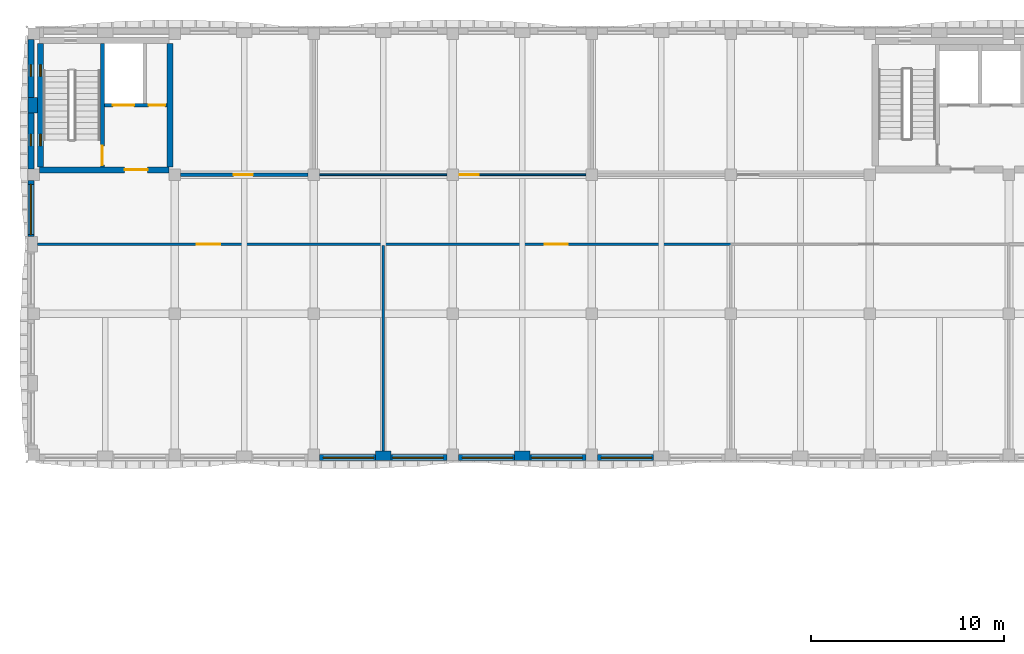
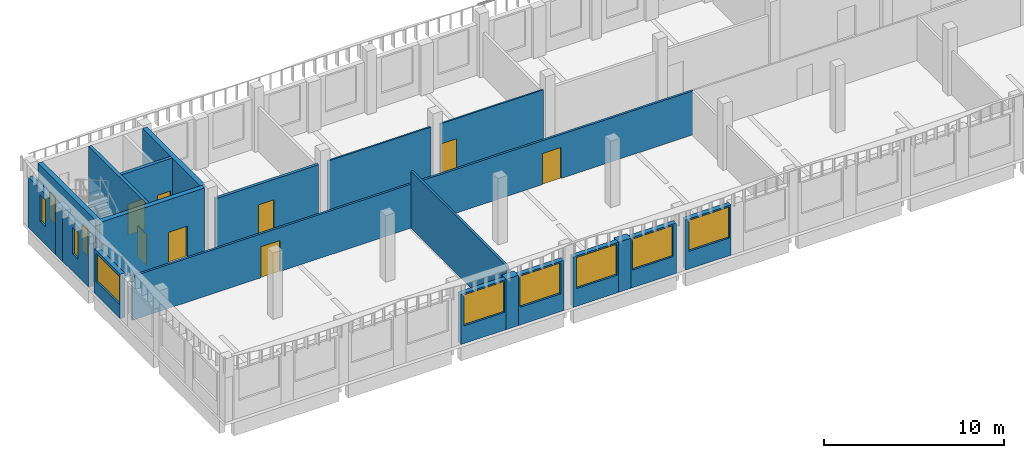
# One storey, part 13 of 38: 22 walls, 10 windows, 8 doors, 18 openings.
"""IFC4 building model written with IfcOpenShell, lengths in metres."""

from ifc_helpers import new_model, si_unit, direction, frame, frame_2d, origin, place, context, subcontext, project, spatial, rectangle, extrude, material, layer, layer_set, type_object, element, fill, save


model = new_model("IFC4")

# Units and contexts
model_context = context("Model", 3, precision=1e-05, world=origin(), true_north=direction((0.0, 1.0)))
body_context = subcontext(model_context, "Body", "Model", "MODEL_VIEW")
ifc_project = project(units=[si_unit("LENGTHUNIT", "METRE"), si_unit("AREAUNIT", "SQUARE_METRE"), si_unit("VOLUMEUNIT", "CUBIC_METRE"), si_unit("PLANEANGLEUNIT", "RADIAN"), si_unit("MASSUNIT", "GRAM", prefix="KILO")], contexts=[model_context])

# Site, building, storey
site_placement = place(None, origin())
site = spatial("IfcSite", under=ifc_project, at=site_placement, CompositionType="ELEMENT")
building_placement = place(site_placement, origin())
building = spatial("IfcBuilding", under=site, at=building_placement, Name="Ussher Court Research Institute", CompositionType="ELEMENT")
storey_placement = place(building_placement, frame((0.0, 0.0, 23.39990234375)))
storey = spatial("IfcBuildingStorey", under=building, at=storey_placement, Name="L05", CompositionType="ELEMENT", Elevation=23.39990234375)

# Wall, opening, door
ifc_material_1 = material(Name="Plasterboard on steel studs with mineral wool", Category="steel")
ifc_layer_1 = layer(ifc_material_1, 0.179931640625)
ifc_layer_set_1 = layer_set([ifc_layer_1], Name="Plasterboard on steel studs with mineral wool")
wall_type_1 = type_object("IfcWallType", Name="Acoustic twin-stud partition 180", PredefinedType="PARTITIONING", material=ifc_layer_set_1)
wall_1_placement = place(storey_placement, frame((10.5, 83.199951171875, 0.0), z_axis=(0.0, 0.0, 1.0), x_axis=(1.0, 0.0, 0.0)))
wall_1 = element("IfcWall", 1, at=wall_1_placement, inside=storey, type_object=wall_type_1, Name="Partition", PredefinedType="PARTITIONING", context=body_context, shape_type="SweptSolid", body=[
    extrude(rectangle(XDim=6.60009765625, YDim=0.179931640625, at=frame_2d((3.300048828125, 0.0))), origin(), (0.0, 0.0, 1.0), 3.47021484375),
])
opening_1_placement = place(wall_1_placement, frame((2.75, 0.0, 0.0)))
opening_1 = element("IfcOpeningElement", 2, at=opening_1_placement, cuts=wall_1, Name="Opening D05005", PredefinedType="OPENING", context=body_context, shape_type="SweptSolid", body=[
    extrude(rectangle(XDim=1.0, YDim=2.10009765625, at=frame_2d((0.5, 1.050048828125))), frame((0.0, 0.10009765625, 0.0), z_axis=(0.0, -1.0, 0.0), x_axis=(1.0, 0.0, 0.0)), (0.0, 0.0, 1.0), 0.199951171875),
])
ifc_material_2 = material(Name="Veneered timber door", Category="wood")
door_type_1 = type_object("IfcDoorType", Name="Meeting room door 1000x2100", OperationType="NOTDEFINED", PredefinedType="DOOR", material=ifc_material_2)
door_1_placement = place(opening_1_placement, origin())
door_1 = element("IfcDoor", 3, at=door_1_placement, inside=storey, type_object=door_type_1, Name="Door D05005", OperationType="SINGLE_SWING_LEFT", OverallHeight=2.10009765625, OverallWidth=1.0, PredefinedType="DOOR", context=body_context, shape_type="SweptSolid", body=[
    extrude(rectangle(XDim=1.0, YDim=2.10009765625, at=frame_2d((0.5, 1.050048828125))), frame((0.0, 0.02490234375, 0.0), z_axis=(0.0, -1.0, 0.0), x_axis=(1.0, 0.0, 0.0)), (0.0, 0.0, 1.0), 0.050048828125),
])
fill(opening_1, door_1)

# Wall, opening, window
ifc_material_3 = material(Name="Blockwork with cream render", Category="masonry")
ifc_layer_2 = layer(ifc_material_3, 0.300048828125)
ifc_layer_set_2 = layer_set([ifc_layer_2], Name="Blockwork with cream render")
wall_type_2 = type_object("IfcWallType", Name="External wall 300 cream render", PredefinedType="SOLIDWALL", material=ifc_layer_set_2)
wall_2_placement = place(storey_placement, frame((35.0, 68.550048828125, 0.0), z_axis=(0.0, 0.0, 1.0), x_axis=(-1.0, 0.0, 0.0)))
wall_2 = element("IfcWall", 4, at=wall_2_placement, inside=storey, type_object=wall_type_2, Name="External wall EW1 L05", PredefinedType="SOLIDWALL", context=body_context, shape_type="SweptSolid", body=[
    extrude(rectangle(XDim=2.89990234375, YDim=0.300048828125, at=frame_2d((1.449951171875, 0.0))), origin(), (0.0, 0.0, 1.0), 3.400146484375),
])
opening_2_placement = place(wall_2_placement, frame((0.10009765625, 0.0, 1.199951171875)))
opening_2 = element("IfcOpeningElement", 5, at=opening_2_placement, cuts=wall_2, Name="Opening W08", PredefinedType="OPENING", context=body_context, shape_type="SweptSolid", body=[
    extrude(rectangle(XDim=2.60009765625, YDim=2.10009765625, at=frame_2d((1.300048828125, 1.050048828125))), frame((0.0, 0.16015625, 0.0), z_axis=(0.0, -1.0, 0.0), x_axis=(1.0, 0.0, 0.0)), (0.0, 0.0, 1.0), 0.320068359375),
])
ifc_material_4 = material(Name="Bronze anodised aluminium with double glazing", Category="aluminium")
window_type_1 = type_object("IfcWindowType", Name="Dry laboratory bay window 2600x2100", PartitioningType="DOUBLE_PANEL_VERTICAL", PredefinedType="WINDOW", material=ifc_material_4)
window_1_placement = place(opening_2_placement, origin())
window_1 = element("IfcWindow", 6, at=window_1_placement, inside=storey, type_object=window_type_1, Name="Window W08 L05", OverallHeight=2.10009765625, OverallWidth=2.60009765625, PartitioningType="SINGLE_PANEL", PredefinedType="WINDOW", context=body_context, shape_type="SweptSolid", body=[
    extrude(rectangle(XDim=2.60009765625, YDim=2.10009765625, at=frame_2d((1.300048828125, 1.050048828125))), frame((0.0, 0.030029296875, 0.0), z_axis=(0.0, -1.0, 0.0), x_axis=(1.0, 0.0, 0.0)), (0.0, 0.0, 1.0), 0.06005859375),
])
fill(opening_2, window_1)

wall_3_placement = place(storey_placement, frame((31.5, 68.550048828125, 0.0), z_axis=(0.0, 0.0, 1.0), x_axis=(-1.0, 0.0, 0.0)))
wall_3 = element("IfcWall", 7, at=wall_3_placement, inside=storey, type_object=wall_type_2, Name="External wall EW1 L05", PredefinedType="SOLIDWALL", context=body_context, shape_type="SweptSolid", body=[
    extrude(rectangle(XDim=2.89990234375, YDim=0.300048828125, at=frame_2d((1.449951171875, 0.0))), origin(), (0.0, 0.0, 1.0), 3.400146484375),
])
opening_3_placement = place(wall_3_placement, frame((0.199951171875, 0.0, 1.199951171875)))
opening_3 = element("IfcOpeningElement", 8, at=opening_3_placement, cuts=wall_3, Name="Opening W08", PredefinedType="OPENING", context=body_context, shape_type="SweptSolid", body=[
    extrude(rectangle(XDim=2.60009765625, YDim=2.10009765625, at=frame_2d((1.300048828125, 1.050048828125))), frame((0.0, 0.16015625, 0.0), z_axis=(0.0, -1.0, 0.0), x_axis=(1.0, 0.0, 0.0)), (0.0, 0.0, 1.0), 0.320068359375),
])
window_2_placement = place(opening_3_placement, origin())
window_2 = element("IfcWindow", 9, at=window_2_placement, inside=storey, type_object=window_type_1, Name="Window W08 L05", OverallHeight=2.10009765625, OverallWidth=2.60009765625, PartitioningType="SINGLE_PANEL", PredefinedType="WINDOW", context=body_context, shape_type="SweptSolid", body=[
    extrude(rectangle(XDim=2.60009765625, YDim=2.10009765625, at=frame_2d((1.300048828125, 1.050048828125))), frame((0.0, 0.030029296875, 0.0), z_axis=(0.0, -1.0, 0.0), x_axis=(1.0, 0.0, 0.0)), (0.0, 0.0, 1.0), 0.06005859375),
])
fill(opening_3, window_2)

wall_4_placement = place(storey_placement, frame((27.800048828125, 68.550048828125, 0.0), z_axis=(0.0, 0.0, 1.0), x_axis=(-1.0, 0.0, 0.0)))
wall_4 = element("IfcWall", 10, at=wall_4_placement, inside=storey, type_object=wall_type_2, Name="External wall EW1 L05", PredefinedType="SOLIDWALL", context=body_context, shape_type="SweptSolid", body=[
    extrude(rectangle(XDim=2.900146484375, YDim=0.300048828125, at=frame_2d((1.4501953125, 0.0))), origin(), (0.0, 0.0, 1.0), 3.400146484375),
])
opening_4_placement = place(wall_4_placement, frame((0.10009765625, 0.0, 1.199951171875)))
opening_4 = element("IfcOpeningElement", 11, at=opening_4_placement, cuts=wall_4, Name="Opening W08", PredefinedType="OPENING", context=body_context, shape_type="SweptSolid", body=[
    extrude(rectangle(XDim=2.60009765625, YDim=2.10009765625, at=frame_2d((1.300048828125, 1.050048828125))), frame((0.0, 0.16015625, 0.0), z_axis=(0.0, -1.0, 0.0), x_axis=(1.0, 0.0, 0.0)), (0.0, 0.0, 1.0), 0.320068359375),
])
window_3_placement = place(opening_4_placement, origin())
window_3 = element("IfcWindow", 12, at=window_3_placement, inside=storey, type_object=window_type_1, Name="Window W08 L05", OverallHeight=2.10009765625, OverallWidth=2.60009765625, PartitioningType="SINGLE_PANEL", PredefinedType="WINDOW", context=body_context, shape_type="SweptSolid", body=[
    extrude(rectangle(XDim=2.60009765625, YDim=2.10009765625, at=frame_2d((1.300048828125, 1.050048828125))), frame((0.0, 0.030029296875, 0.0), z_axis=(0.0, -1.0, 0.0), x_axis=(1.0, 0.0, 0.0)), (0.0, 0.0, 1.0), 0.06005859375),
])
fill(opening_4, window_3)

wall_5_placement = place(storey_placement, frame((24.300048828125, 68.550048828125, 0.0), z_axis=(0.0, 0.0, 1.0), x_axis=(-1.0, 0.0, 0.0)))
wall_5 = element("IfcWall", 13, at=wall_5_placement, inside=storey, type_object=wall_type_2, Name="External wall EW1 L05", PredefinedType="SOLIDWALL", context=body_context, shape_type="SweptSolid", body=[
    extrude(rectangle(XDim=2.900146484375, YDim=0.300048828125, at=frame_2d((1.4501953125, 0.0))), origin(), (0.0, 0.0, 1.0), 3.400146484375),
])
opening_5_placement = place(wall_5_placement, frame((0.199951171875, 0.0, 1.199951171875)))
opening_5 = element("IfcOpeningElement", 14, at=opening_5_placement, cuts=wall_5, Name="Opening W08", PredefinedType="OPENING", context=body_context, shape_type="SweptSolid", body=[
    extrude(rectangle(XDim=2.60009765625, YDim=2.10009765625, at=frame_2d((1.300048828125, 1.050048828125))), frame((0.0, 0.16015625, 0.0), z_axis=(0.0, -1.0, 0.0), x_axis=(1.0, 0.0, 0.0)), (0.0, 0.0, 1.0), 0.320068359375),
])
window_4_placement = place(opening_5_placement, origin())
window_4 = element("IfcWindow", 15, at=window_4_placement, inside=storey, type_object=window_type_1, Name="Window W08 L05", OverallHeight=2.10009765625, OverallWidth=2.60009765625, PartitioningType="SINGLE_PANEL", PredefinedType="WINDOW", context=body_context, shape_type="SweptSolid", body=[
    extrude(rectangle(XDim=2.60009765625, YDim=2.10009765625, at=frame_2d((1.300048828125, 1.050048828125))), frame((0.0, 0.030029296875, 0.0), z_axis=(0.0, -1.0, 0.0), x_axis=(1.0, 0.0, 0.0)), (0.0, 0.0, 1.0), 0.06005859375),
])
fill(opening_5, window_4)

wall_6_placement = place(storey_placement, frame((20.60009765625, 68.550048828125, 0.0), z_axis=(0.0, 0.0, 1.0), x_axis=(-1.0, 0.0, 0.0)))
wall_6 = element("IfcWall", 16, at=wall_6_placement, inside=storey, type_object=wall_type_2, Name="External wall EW1 L05", PredefinedType="SOLIDWALL", context=body_context, shape_type="SweptSolid", body=[
    extrude(rectangle(XDim=2.900146484375, YDim=0.300048828125, at=frame_2d((1.4501953125, 0.0))), origin(), (0.0, 0.0, 1.0), 3.400146484375),
])
opening_6_placement = place(wall_6_placement, frame((0.10009765625, 0.0, 1.199951171875)))
opening_6 = element("IfcOpeningElement", 17, at=opening_6_placement, cuts=wall_6, Name="Opening W08", PredefinedType="OPENING", context=body_context, shape_type="SweptSolid", body=[
    extrude(rectangle(XDim=2.60009765625, YDim=2.10009765625, at=frame_2d((1.300048828125, 1.050048828125))), frame((0.0, 0.16015625, 0.0), z_axis=(0.0, -1.0, 0.0), x_axis=(1.0, 0.0, 0.0)), (0.0, 0.0, 1.0), 0.320068359375),
])
window_5_placement = place(opening_6_placement, origin())
window_5 = element("IfcWindow", 18, at=window_5_placement, inside=storey, type_object=window_type_1, Name="Window W08 L05", OverallHeight=2.10009765625, OverallWidth=2.60009765625, PartitioningType="SINGLE_PANEL", PredefinedType="WINDOW", context=body_context, shape_type="SweptSolid", body=[
    extrude(rectangle(XDim=2.60009765625, YDim=2.10009765625, at=frame_2d((1.300048828125, 1.050048828125))), frame((0.0, 0.030029296875, 0.0), z_axis=(0.0, -1.0, 0.0), x_axis=(1.0, 0.0, 0.0)), (0.0, 0.0, 1.0), 0.06005859375),
])
fill(opening_6, window_5)

wall_7_placement = place(storey_placement, frame((2.75, 80.0, 0.0), z_axis=(0.0, 0.0, 1.0), x_axis=(0.0, 1.0, 0.0)))
wall_7 = element("IfcWall", 19, at=wall_7_placement, inside=storey, type_object=wall_type_2, Name="External wall EW1 L05", PredefinedType="SOLIDWALL", context=body_context, shape_type="SweptSolid", body=[
    extrude(rectangle(XDim=2.89990234375, YDim=0.300048828125, at=frame_2d((1.449951171875, 0.0))), origin(), (0.0, 0.0, 1.0), 3.0),
])
opening_7_placement = place(wall_7_placement, frame((0.10009765625, 0.0, 0.89990234375)))
opening_7 = element("IfcOpeningElement", 20, at=opening_7_placement, cuts=wall_7, Name="Opening W30", PredefinedType="OPENING", context=body_context, shape_type="SweptSolid", body=[
    extrude(rectangle(XDim=2.60009765625, YDim=1.89990234375, at=frame_2d((1.300048828125, 0.949951171875))), frame((0.0, 0.16015625, 0.0), z_axis=(0.0, -1.0, 0.0), x_axis=(1.0, 0.0, 0.0)), (0.0, 0.0, 1.0), 0.320068359375),
])
ifc_material_5 = material(Name="Bronze anodised aluminium with double glazing", Category="aluminium")
window_type_2 = type_object("IfcWindowType", Name="Laboratory bay window 2600x1900", PartitioningType="DOUBLE_PANEL_VERTICAL", PredefinedType="WINDOW", material=ifc_material_5)
window_6_placement = place(opening_7_placement, origin())
window_6 = element("IfcWindow", 21, at=window_6_placement, inside=storey, type_object=window_type_2, Name="Window W30 L05", OverallHeight=1.89990234375, OverallWidth=2.60009765625, PartitioningType="SINGLE_PANEL", PredefinedType="WINDOW", context=body_context, shape_type="SweptSolid", body=[
    extrude(rectangle(XDim=2.60009765625, YDim=1.89990234375, at=frame_2d((1.300048828125, 0.949951171875))), frame((0.0, 0.030029296875, 0.0), z_axis=(0.0, -1.0, 0.0), x_axis=(1.0, 0.0, 0.0)), (0.0, 0.0, 1.0), 0.06005859375),
])
fill(opening_7, window_6)

ifc_material_6 = material(Name="Limestone facing on blockwork", Category="masonry")
ifc_layer_3 = layer(ifc_material_6, 0.300048828125)
ifc_layer_set_3 = layer_set([ifc_layer_3], Name="Limestone facing on blockwork")
wall_type_3 = type_object("IfcWallType", Name="External wall 300 stair enclosure", PredefinedType="SOLIDWALL", material=ifc_layer_set_3)
wall_8_placement = place(storey_placement, frame((2.75, 83.5, 0.0), z_axis=(0.0, 0.0, 1.0), x_axis=(0.0, 1.0, 0.0)))
wall_8 = element("IfcWall", 22, at=wall_8_placement, inside=storey, type_object=wall_type_3, Name="External wall EW5 L05", PredefinedType="SOLIDWALL", context=body_context, shape_type="SweptSolid", body=[
    extrude(rectangle(XDim=2.89990234375, YDim=0.300048828125, at=frame_2d((1.449951171875, 0.0))), origin(), (0.0, 0.0, 1.0), 3.400146484375),
])
opening_8_placement = place(wall_8_placement, frame((1.199951171875, 0.0, 1.199951171875)))
opening_8 = element("IfcOpeningElement", 23, at=opening_8_placement, cuts=wall_8, Name="Opening W25", PredefinedType="OPENING", context=body_context, shape_type="SweptSolid", body=[
    extrude(rectangle(XDim=0.60009765625, YDim=1.800048828125, at=frame_2d((0.300048828125, 0.89990234375))), frame((0.0, 0.16015625, 0.0), z_axis=(0.0, -1.0, 0.0), x_axis=(1.0, 0.0, 0.0)), (0.0, 0.0, 1.0), 0.320068359375),
])
ifc_material_7 = material(Name="Bronze anodised aluminium with double glazing", Category="aluminium")
window_type_3 = type_object("IfcWindowType", Name="Stair light slot window 600x1800 fire-resisting glazing", PartitioningType="SINGLE_PANEL", PredefinedType="WINDOW", material=ifc_material_7)
window_7_placement = place(opening_8_placement, origin())
window_7 = element("IfcWindow", 24, at=window_7_placement, inside=storey, type_object=window_type_3, Name="Window W25 L05", OverallHeight=1.800048828125, OverallWidth=0.60009765625, PartitioningType="SINGLE_PANEL", PredefinedType="WINDOW", context=body_context, shape_type="SweptSolid", body=[
    extrude(rectangle(XDim=0.60009765625, YDim=1.800048828125, at=frame_2d((0.300048828125, 0.89990234375))), frame((0.0, 0.030029296875, 0.0), z_axis=(0.0, -1.0, 0.0), x_axis=(1.0, 0.0, 0.0)), (0.0, 0.0, 1.0), 0.06005859375),
])
fill(opening_8, window_7)

wall_9_placement = place(storey_placement, frame((2.75, 87.199951171875, 0.0), z_axis=(0.0, 0.0, 1.0), x_axis=(0.0, 1.0, 0.0)))
wall_9 = element("IfcWall", 25, at=wall_9_placement, inside=storey, type_object=wall_type_3, Name="External wall EW5 L05", PredefinedType="SOLIDWALL", context=body_context, shape_type="SweptSolid", body=[
    extrude(rectangle(XDim=3.0, YDim=0.300048828125, at=frame_2d((1.5, 0.0))), origin(), (0.0, 0.0, 1.0), 3.400146484375),
])
opening_9_placement = place(wall_9_placement, frame((1.10009765625, 0.0, 1.199951171875)))
opening_9 = element("IfcOpeningElement", 26, at=opening_9_placement, cuts=wall_9, Name="Opening W25", PredefinedType="OPENING", context=body_context, shape_type="SweptSolid", body=[
    extrude(rectangle(XDim=0.60009765625, YDim=1.800048828125, at=frame_2d((0.300048828125, 0.89990234375))), frame((0.0, 0.16015625, 0.0), z_axis=(0.0, -1.0, 0.0), x_axis=(1.0, 0.0, 0.0)), (0.0, 0.0, 1.0), 0.320068359375),
])
window_8_placement = place(opening_9_placement, origin())
window_8 = element("IfcWindow", 27, at=window_8_placement, inside=storey, type_object=window_type_3, Name="Window W25 L05", OverallHeight=1.800048828125, OverallWidth=0.60009765625, PartitioningType="SINGLE_PANEL", PredefinedType="WINDOW", context=body_context, shape_type="SweptSolid", body=[
    extrude(rectangle(XDim=0.60009765625, YDim=1.800048828125, at=frame_2d((0.300048828125, 0.89990234375))), frame((0.0, 0.030029296875, 0.0), z_axis=(0.0, -1.0, 0.0), x_axis=(1.0, 0.0, 0.0)), (0.0, 0.0, 1.0), 0.06005859375),
])
fill(opening_9, window_8)

# Wall, opening, door
ifc_material_8 = material(Name="Plastered blockwork", Category="masonry")
ifc_layer_4 = layer(ifc_material_8, 0.139892578125)
ifc_layer_set_4 = layer_set([ifc_layer_4], Name="Plastered blockwork")
wall_type_4 = type_object("IfcWallType", Name="Laboratory blockwork partition 140", PredefinedType="PARTITIONING", material=ifc_layer_set_4)
wall_10_placement = place(storey_placement, frame((21.0, 79.60009765625, 0.0), z_axis=(0.0, 0.0, 1.0), x_axis=(-1.0, 0.0, 0.0)))
wall_10 = element("IfcWall", 28, at=wall_10_placement, inside=storey, type_object=wall_type_4, Name="Partition", PredefinedType="PARTITIONING", context=body_context, shape_type="SweptSolid", body=[
    extrude(rectangle(XDim=17.89990234375, YDim=0.139892578125, at=frame_2d((8.949951171875, 0.0))), origin(), (0.0, 0.0, 1.0), 2.97021484375),
])
opening_10_placement = place(wall_10_placement, frame((8.449951171875, 0.0, 0.0)))
opening_10 = element("IfcOpeningElement", 29, at=opening_10_placement, cuts=wall_10, Name="Opening D05004", PredefinedType="OPENING", context=body_context, shape_type="SweptSolid", body=[
    extrude(rectangle(XDim=1.199951171875, YDim=2.10009765625, at=frame_2d((0.60009765625, 1.050048828125))), frame((0.0, 0.080078125, 0.0), z_axis=(0.0, -1.0, 0.0), x_axis=(1.0, 0.0, 0.0)), (0.0, 0.0, 1.0), 0.159912109375),
])
ifc_material_9 = material(Name="Veneered timber door", Category="wood")
door_type_2 = type_object("IfcDoorType", Name="Laboratory door 1200x2100", OperationType="NOTDEFINED", PredefinedType="DOOR", material=ifc_material_9)
door_2_placement = place(opening_10_placement, origin())
door_2 = element("IfcDoor", 30, at=door_2_placement, inside=storey, type_object=door_type_2, Name="Door D05004", OperationType="SINGLE_SWING_RIGHT", OverallHeight=2.10009765625, OverallWidth=1.199951171875, PredefinedType="DOOR", context=body_context, shape_type="SweptSolid", body=[
    extrude(rectangle(XDim=1.199951171875, YDim=2.10009765625, at=frame_2d((0.60009765625, 1.050048828125))), frame((0.0, 0.02490234375, 0.0), z_axis=(0.0, -1.0, 0.0), x_axis=(1.0, 0.0, 0.0)), (0.0, 0.0, 1.0), 0.050048828125),
])
fill(opening_10, door_2)

wall_11_placement = place(storey_placement, frame((39.0, 79.60009765625, 0.0), z_axis=(0.0, 0.0, 1.0), x_axis=(-1.0, 0.0, 0.0)))
wall_11 = element("IfcWall", 31, at=wall_11_placement, inside=storey, type_object=wall_type_4, Name="Partition", PredefinedType="PARTITIONING", context=body_context, shape_type="SweptSolid", body=[
    extrude(rectangle(XDim=18.0, YDim=0.139892578125, at=frame_2d((9.0, 0.0))), origin(), (0.0, 0.0, 1.0), 2.97021484375),
])
opening_11_placement = place(wall_11_placement, frame((8.449951171875, 0.0, 0.0)))
opening_11 = element("IfcOpeningElement", 32, at=opening_11_placement, cuts=wall_11, Name="Opening D05007", PredefinedType="OPENING", context=body_context, shape_type="SweptSolid", body=[
    extrude(rectangle(XDim=1.199951171875, YDim=2.10009765625, at=frame_2d((0.60009765625, 1.050048828125))), frame((0.0, 0.080078125, 0.0), z_axis=(0.0, -1.0, 0.0), x_axis=(1.0, 0.0, 0.0)), (0.0, 0.0, 1.0), 0.159912109375),
])
door_3_placement = place(opening_11_placement, origin())
door_3 = element("IfcDoor", 33, at=door_3_placement, inside=storey, type_object=door_type_2, Name="Door D05007", OperationType="SINGLE_SWING_RIGHT", OverallHeight=2.10009765625, OverallWidth=1.199951171875, PredefinedType="DOOR", context=body_context, shape_type="SweptSolid", body=[
    extrude(rectangle(XDim=1.199951171875, YDim=2.10009765625, at=frame_2d((0.60009765625, 1.050048828125))), frame((0.0, 0.02490234375, 0.0), z_axis=(0.0, -1.0, 0.0), x_axis=(1.0, 0.0, 0.0)), (0.0, 0.0, 1.0), 0.050048828125),
])
fill(opening_11, door_3)

# Walls
wall_12_placement = place(storey_placement, frame((21.0, 68.89990234375, 0.0), z_axis=(0.0, 0.0, 1.0), x_axis=(0.0, 1.0, 0.0)))
element("IfcWall", 34, at=wall_12_placement, inside=storey, type_object=wall_type_4, Name="Partition", PredefinedType="PARTITIONING", context=body_context, shape_type="SweptSolid", body=[
    extrude(rectangle(XDim=10.630126953125, YDim=0.139892578125, at=frame_2d((5.31494140625, 0.0))), origin(), (0.0, 0.0, 1.0), 3.8701171875),
])
ifc_material_10 = material(Name="Plastered blockwork", Category="masonry")
ifc_layer_5 = layer(ifc_material_10, 0.10009765625)
ifc_layer_set_5 = layer_set([ifc_layer_5], Name="Plastered blockwork")
wall_type_5 = type_object("IfcWallType", Name="Partition plastered blockwork 100", PredefinedType="PARTITIONING", material=ifc_layer_set_5)
wall_13_placement = place(storey_placement, frame((17.699951171875, 83.199951171875, 0.0), z_axis=(0.0, 0.0, 1.0), x_axis=(1.0, 0.0, 0.0)))
element("IfcWall", 35, at=wall_13_placement, inside=storey, type_object=wall_type_5, Name="Partition", PredefinedType="PARTITIONING", context=body_context, shape_type="SweptSolid", body=[
    extrude(rectangle(XDim=6.60009765625, YDim=0.10009765625, at=frame_2d((3.300048828125, 0.0))), origin(), (0.0, 0.0, 1.0), 3.47021484375),
])

# Wall, opening, door
wall_14_placement = place(storey_placement, frame((24.89990234375, 83.199951171875, 0.0), z_axis=(0.0, 0.0, 1.0), x_axis=(1.0, 0.0, 0.0)))
wall_14 = element("IfcWall", 36, at=wall_14_placement, inside=storey, type_object=wall_type_5, Name="Partition", PredefinedType="PARTITIONING", context=body_context, shape_type="SweptSolid", body=[
    extrude(rectangle(XDim=6.60009765625, YDim=0.10009765625, at=frame_2d((3.300048828125, 0.0))), origin(), (0.0, 0.0, 1.0), 3.47021484375),
])
opening_12_placement = place(wall_14_placement, frame((0.050048828125, 0.0, 0.0)))
opening_12 = element("IfcOpeningElement", 37, at=opening_12_placement, cuts=wall_14, Name="Opening D05006", PredefinedType="OPENING", context=body_context, shape_type="SweptSolid", body=[
    extrude(rectangle(XDim=1.0, YDim=2.10009765625, at=frame_2d((0.5, 1.050048828125))), frame((0.0, 0.06005859375, 0.0), z_axis=(0.0, -1.0, 0.0), x_axis=(1.0, 0.0, 0.0)), (0.0, 0.0, 1.0), 0.1201171875),
])
ifc_material_11 = material(Name="Veneered timber door", Category="wood")
door_type_3 = type_object("IfcDoorType", Name="Office door 1000x2100", OperationType="NOTDEFINED", PredefinedType="DOOR", material=ifc_material_11)
door_4_placement = place(opening_12_placement, origin())
door_4 = element("IfcDoor", 38, at=door_4_placement, inside=storey, type_object=door_type_3, Name="Door D05006", OperationType="SINGLE_SWING_LEFT", OverallHeight=2.10009765625, OverallWidth=1.0, PredefinedType="DOOR", context=body_context, shape_type="SweptSolid", body=[
    extrude(rectangle(XDim=1.0, YDim=2.10009765625, at=frame_2d((0.5, 1.050048828125))), frame((0.0, 0.02490234375, 0.0), z_axis=(0.0, -1.0, 0.0), x_axis=(1.0, 0.0, 0.0)), (0.0, 0.0, 1.0), 0.050048828125),
])
fill(opening_12, door_4)

# Walls
ifc_material_12 = material(Name="Blockwork with cream render", Category="masonry")
ifc_layer_6 = layer(ifc_material_12, 0.5)
ifc_layer_set_6 = layer_set([ifc_layer_6], Name="Blockwork with cream render")
wall_type_6 = type_object("IfcWallType", Name="Pier 800x500 cream render", PredefinedType="SOLIDWALL", material=ifc_layer_set_6)
wall_15_placement = place(storey_placement, frame((28.60009765625, 68.64990234375, 0.0), z_axis=(0.0, 0.0, 1.0), x_axis=(-1.0, 0.0, 0.0)))
element("IfcWall", 39, at=wall_15_placement, inside=storey, type_object=wall_type_6, Name="Pier PR1 L05", PredefinedType="SOLIDWALL", context=body_context, shape_type="SweptSolid", body=[
    extrude(rectangle(XDim=0.800048828125, YDim=0.5, at=frame_2d((0.39990234375, 0.0))), origin(), (0.0, 0.0, 1.0), 3.400146484375),
])
wall_16_placement = place(storey_placement, frame((21.39990234375, 68.64990234375, 0.0), z_axis=(0.0, 0.0, 1.0), x_axis=(-1.0, 0.0, 0.0)))
element("IfcWall", 40, at=wall_16_placement, inside=storey, type_object=wall_type_6, Name="Pier PR1 L05", PredefinedType="SOLIDWALL", context=body_context, shape_type="SweptSolid", body=[
    extrude(rectangle(XDim=0.7998046875, YDim=0.5, at=frame_2d((0.39990234375, 0.0))), origin(), (0.0, 0.0, 1.0), 3.400146484375),
])
wall_17_placement = place(storey_placement, frame((2.85009765625, 86.39990234375, 0.0), z_axis=(0.0, 0.0, 1.0), x_axis=(0.0, 1.0, 0.0)))
element("IfcWall", 41, at=wall_17_placement, inside=storey, type_object=wall_type_6, Name="Pier PR1 L05", PredefinedType="SOLIDWALL", context=body_context, shape_type="SweptSolid", body=[
    extrude(rectangle(XDim=0.800048828125, YDim=0.5, at=frame_2d((0.39990234375, 0.0))), origin(), (0.0, 0.0, 1.0), 3.400146484375),
])

# Wall, opening, door
ifc_material_13 = material(Name="Concrete C35/45", Category="concrete")
ifc_layer_7 = layer(ifc_material_13, 0.199951171875)
ifc_layer_set_7 = layer_set([ifc_layer_7], Name="Concrete C35/45")
wall_type_7 = type_object("IfcWallType", Name="RC core wall 200", PredefinedType="SHEAR", material=ifc_layer_set_7)
wall_18_placement = place(storey_placement, frame((6.449951171875, 83.60009765625, 0.0), z_axis=(0.0, 0.0, 1.0), x_axis=(0.0, 1.0, 0.0)))
wall_18 = element("IfcWall", 42, at=wall_18_placement, inside=storey, type_object=wall_type_7, Name="Core wall D1", PredefinedType="SHEAR", context=body_context, shape_type="SweptSolid", body=[
    extrude(rectangle(XDim=6.39990234375, YDim=0.199951171875, at=frame_2d((3.199951171875, 0.0))), origin(), (0.0, 0.0, 1.0), 4.300048828125),
])
opening_13_placement = place(wall_18_placement, frame((0.10009765625, 0.0, 0.0)))
opening_13 = element("IfcOpeningElement", 43, at=opening_13_placement, cuts=wall_18, Name="Opening D05001", PredefinedType="OPENING", context=body_context, shape_type="SweptSolid", body=[
    extrude(rectangle(XDim=1.0, YDim=2.10009765625, at=frame_2d((0.5, 1.050048828125))), frame((0.0, 0.10986328125, 0.0), z_axis=(0.0, -1.0, 0.0), x_axis=(1.0, 0.0, 0.0)), (0.0, 0.0, 1.0), 0.219970703125),
])
ifc_material_14 = material(Name="Painted steel faced fire door", Category="steel")
door_type_4 = type_object("IfcDoorType", Name="Fire door 1000x2100 FD60", OperationType="NOTDEFINED", PredefinedType="DOOR", material=ifc_material_14)
door_5_placement = place(opening_13_placement, origin())
door_5 = element("IfcDoor", 44, at=door_5_placement, inside=storey, type_object=door_type_4, Name="Door D05001", OperationType="SINGLE_SWING_LEFT", OverallHeight=2.10009765625, OverallWidth=1.0, PredefinedType="DOOR", context=body_context, shape_type="SweptSolid", body=[
    extrude(rectangle(XDim=1.0, YDim=2.10009765625, at=frame_2d((0.5, 1.050048828125))), frame((0.0, 0.02490234375, 0.0), z_axis=(0.0, -1.0, 0.0), x_axis=(1.0, 0.0, 0.0)), (0.0, 0.0, 1.0), 0.050048828125),
])
fill(opening_13, door_5)

# Wall, openings, doors
wall_19_placement = place(storey_placement, frame((9.800048828125, 86.800048828125, 0.0), z_axis=(0.0, 0.0, 1.0), x_axis=(-1.0, 0.0, 0.0)))
wall_19 = element("IfcWall", 45, at=wall_19_placement, inside=storey, type_object=wall_type_7, Name="Core wall D1", PredefinedType="SHEAR", context=body_context, shape_type="SweptSolid", body=[
    extrude(rectangle(XDim=3.25, YDim=0.199951171875, at=frame_2d((1.625, 0.0))), origin(), (0.0, 0.0, 1.0), 4.300048828125),
])
opening_14_placement = place(wall_19_placement, frame((1.699951171875, 0.0, 0.0)))
opening_14 = element("IfcOpeningElement", 46, at=opening_14_placement, cuts=wall_19, Name="Opening LD57", PredefinedType="OPENING", context=body_context, shape_type="SweptSolid", body=[
    extrude(rectangle(XDim=1.10009765625, YDim=2.10009765625, at=frame_2d((0.550048828125, 1.050048828125))), frame((0.0, 0.10986328125, 0.0), z_axis=(0.0, -1.0, 0.0), x_axis=(1.0, 0.0, 0.0)), (0.0, 0.0, 1.0), 0.219970703125),
])
opening_15_placement = place(wall_19_placement, frame((0.10009765625, 0.0, 0.0)))
opening_15 = element("IfcOpeningElement", 47, at=opening_15_placement, cuts=wall_19, Name="Opening D05003", PredefinedType="OPENING", context=body_context, shape_type="SweptSolid", body=[
    extrude(rectangle(XDim=0.85009765625, YDim=2.10009765625, at=frame_2d((0.425048828125, 1.050048828125))), frame((0.0, 0.10986328125, 0.0), z_axis=(0.0, -1.0, 0.0), x_axis=(1.0, 0.0, 0.0)), (0.0, 0.0, 1.0), 0.219970703125),
])
ifc_material_15 = material(Name="Painted steel faced fire door", Category="steel")
door_type_5 = type_object("IfcDoorType", Name="Fire door 850x2100 FD60", OperationType="NOTDEFINED", PredefinedType="DOOR", material=ifc_material_15)
door_6_placement = place(opening_15_placement, origin())
door_6 = element("IfcDoor", 48, at=door_6_placement, inside=storey, type_object=door_type_5, Name="Door D05003", OperationType="SINGLE_SWING_LEFT", OverallHeight=2.10009765625, OverallWidth=0.85009765625, PredefinedType="DOOR", context=body_context, shape_type="SweptSolid", body=[
    extrude(rectangle(XDim=0.85009765625, YDim=2.10009765625, at=frame_2d((0.425048828125, 1.050048828125))), frame((0.0, 0.02490234375, 0.0), z_axis=(0.0, -1.0, 0.0), x_axis=(1.0, 0.0, 0.0)), (0.0, 0.0, 1.0), 0.050048828125),
])
fill(opening_15, door_6)
ifc_material_16 = material(Name="Stainless steel lift door", Category="steel")
door_type_6 = type_object("IfcDoorType", Name="Lift landing door 1100x2100 sliding", OperationType="DOUBLE_DOOR_SLIDING", PredefinedType="DOOR", material=ifc_material_16)
door_7_placement = place(opening_14_placement, origin())
door_7 = element("IfcDoor", 49, at=door_7_placement, inside=storey, type_object=door_type_6, Name="Landing door D1-1 L05", OperationType="DOUBLE_DOOR_SLIDING", OverallHeight=2.10009765625, OverallWidth=1.10009765625, PredefinedType="DOOR", context=body_context, shape_type="SweptSolid", body=[
    extrude(rectangle(XDim=1.10009765625, YDim=2.10009765625, at=frame_2d((0.550048828125, 1.050048828125))), frame((0.0, 0.02490234375, 0.0), z_axis=(0.0, -1.0, 0.0), x_axis=(1.0, 0.0, 0.0)), (0.0, 0.0, 1.0), 0.050048828125),
])
fill(opening_14, door_7)

# Wall, opening, door
ifc_material_17 = material(Name="Concrete C35/45", Category="concrete")
ifc_layer_8 = layer(ifc_material_17, 0.300048828125)
ifc_layer_set_8 = layer_set([ifc_layer_8], Name="Concrete C35/45")
wall_type_8 = type_object("IfcWallType", Name="RC core wall 300", PredefinedType="SHEAR", material=ifc_layer_set_8)
wall_20_placement = place(storey_placement, frame((3.199951171875, 83.449951171875, 0.0), z_axis=(0.0, 0.0, 1.0), x_axis=(1.0, 0.0, 0.0)))
wall_20 = element("IfcWall", 50, at=wall_20_placement, inside=storey, type_object=wall_type_8, Name="Core wall D1", PredefinedType="SHEAR", context=body_context, shape_type="SweptSolid", body=[
    extrude(rectangle(XDim=6.699951171875, YDim=0.300048828125, at=frame_2d((3.35009765625, 0.0))), origin(), (0.0, 0.0, 1.0), 4.300048828125),
])
opening_16_placement = place(wall_20_placement, frame((4.39990234375, 0.0, 0.0)))
opening_16 = element("IfcOpeningElement", 51, at=opening_16_placement, cuts=wall_20, Name="Opening D05002", PredefinedType="OPENING", context=body_context, shape_type="SweptSolid", body=[
    extrude(rectangle(XDim=1.199951171875, YDim=2.10009765625, at=frame_2d((0.60009765625, 1.050048828125))), frame((0.0, 0.16015625, 0.0), z_axis=(0.0, -1.0, 0.0), x_axis=(1.0, 0.0, 0.0)), (0.0, 0.0, 1.0), 0.320068359375),
])
ifc_material_18 = material(Name="Painted steel faced fire door", Category="steel")
door_type_7 = type_object("IfcDoorType", Name="Fire door 1200x2100 FD60", OperationType="NOTDEFINED", PredefinedType="DOOR", material=ifc_material_18)
door_8_placement = place(opening_16_placement, origin())
door_8 = element("IfcDoor", 52, at=door_8_placement, inside=storey, type_object=door_type_7, Name="Door D05002", OperationType="SINGLE_SWING_RIGHT", OverallHeight=2.10009765625, OverallWidth=1.199951171875, PredefinedType="DOOR", context=body_context, shape_type="SweptSolid", body=[
    extrude(rectangle(XDim=1.199951171875, YDim=2.10009765625, at=frame_2d((0.60009765625, 1.050048828125))), frame((0.0, 0.02490234375, 0.0), z_axis=(0.0, -1.0, 0.0), x_axis=(1.0, 0.0, 0.0)), (0.0, 0.0, 1.0), 0.050048828125),
])
fill(opening_16, door_8)

# Wall, openings, windows
wall_21_placement = place(storey_placement, frame((3.25, 83.60009765625, 0.0), z_axis=(0.0, 0.0, 1.0), x_axis=(0.0, 1.0, 0.0)))
wall_21 = element("IfcWall", 53, at=wall_21_placement, inside=storey, type_object=wall_type_8, Name="Core wall D1", PredefinedType="SHEAR", context=body_context, shape_type="SweptSolid", body=[
    extrude(rectangle(XDim=6.39990234375, YDim=0.300048828125, at=frame_2d((3.199951171875, 0.0))), origin(), (0.0, 0.0, 1.0), 4.300048828125),
])
opening_17_placement = place(wall_21_placement, frame((1.10009765625, 0.0, 1.199951171875)))
opening_17 = element("IfcOpeningElement", 54, at=opening_17_placement, cuts=wall_21, Name="Opening W25", PredefinedType="OPENING", context=body_context, shape_type="SweptSolid", body=[
    extrude(rectangle(XDim=0.60009765625, YDim=1.800048828125, at=frame_2d((0.300048828125, 0.89990234375))), frame((0.0, 0.16015625, 0.0), z_axis=(0.0, -1.0, 0.0), x_axis=(1.0, 0.0, 0.0)), (0.0, 0.0, 1.0), 0.320068359375),
])
opening_18_placement = place(wall_21_placement, frame((4.699951171875, 0.0, 1.199951171875)))
opening_18 = element("IfcOpeningElement", 55, at=opening_18_placement, cuts=wall_21, Name="Opening W25", PredefinedType="OPENING", context=body_context, shape_type="SweptSolid", body=[
    extrude(rectangle(XDim=0.60009765625, YDim=1.800048828125, at=frame_2d((0.300048828125, 0.89990234375))), frame((0.0, 0.16015625, 0.0), z_axis=(0.0, -1.0, 0.0), x_axis=(1.0, 0.0, 0.0)), (0.0, 0.0, 1.0), 0.320068359375),
])
window_9_placement = place(opening_17_placement, origin())
window_9 = element("IfcWindow", 56, at=window_9_placement, inside=storey, type_object=window_type_3, Name="Window stair light D1 L05", OverallHeight=1.800048828125, OverallWidth=0.60009765625, PartitioningType="SINGLE_PANEL", PredefinedType="WINDOW", context=body_context, shape_type="SweptSolid", body=[
    extrude(rectangle(XDim=0.60009765625, YDim=1.800048828125, at=frame_2d((0.300048828125, 0.89990234375))), frame((0.0, 0.030029296875, 0.0), z_axis=(0.0, -1.0, 0.0), x_axis=(1.0, 0.0, 0.0)), (0.0, 0.0, 1.0), 0.06005859375),
])
fill(opening_17, window_9)
window_10_placement = place(opening_18_placement, origin())
window_10 = element("IfcWindow", 57, at=window_10_placement, inside=storey, type_object=window_type_3, Name="Window stair light D1 L05", OverallHeight=1.800048828125, OverallWidth=0.60009765625, PartitioningType="SINGLE_PANEL", PredefinedType="WINDOW", context=body_context, shape_type="SweptSolid", body=[
    extrude(rectangle(XDim=0.60009765625, YDim=1.800048828125, at=frame_2d((0.300048828125, 0.89990234375))), frame((0.0, 0.030029296875, 0.0), z_axis=(0.0, -1.0, 0.0), x_axis=(1.0, 0.0, 0.0)), (0.0, 0.0, 1.0), 0.06005859375),
])
fill(opening_18, window_10)

# Wall
wall_22_placement = place(storey_placement, frame((9.949951171875, 83.60009765625, 0.0), z_axis=(0.0, 0.0, 1.0), x_axis=(0.0, 1.0, 0.0)))
element("IfcWall", 58, at=wall_22_placement, inside=storey, type_object=wall_type_8, Name="Core wall D1", PredefinedType="SHEAR", context=body_context, shape_type="SweptSolid", body=[
    extrude(rectangle(XDim=6.39990234375, YDim=0.300048828125, at=frame_2d((3.199951171875, 0.0))), origin(), (0.0, 0.0, 1.0), 4.300048828125),
])

save(model, "model.ifc")
